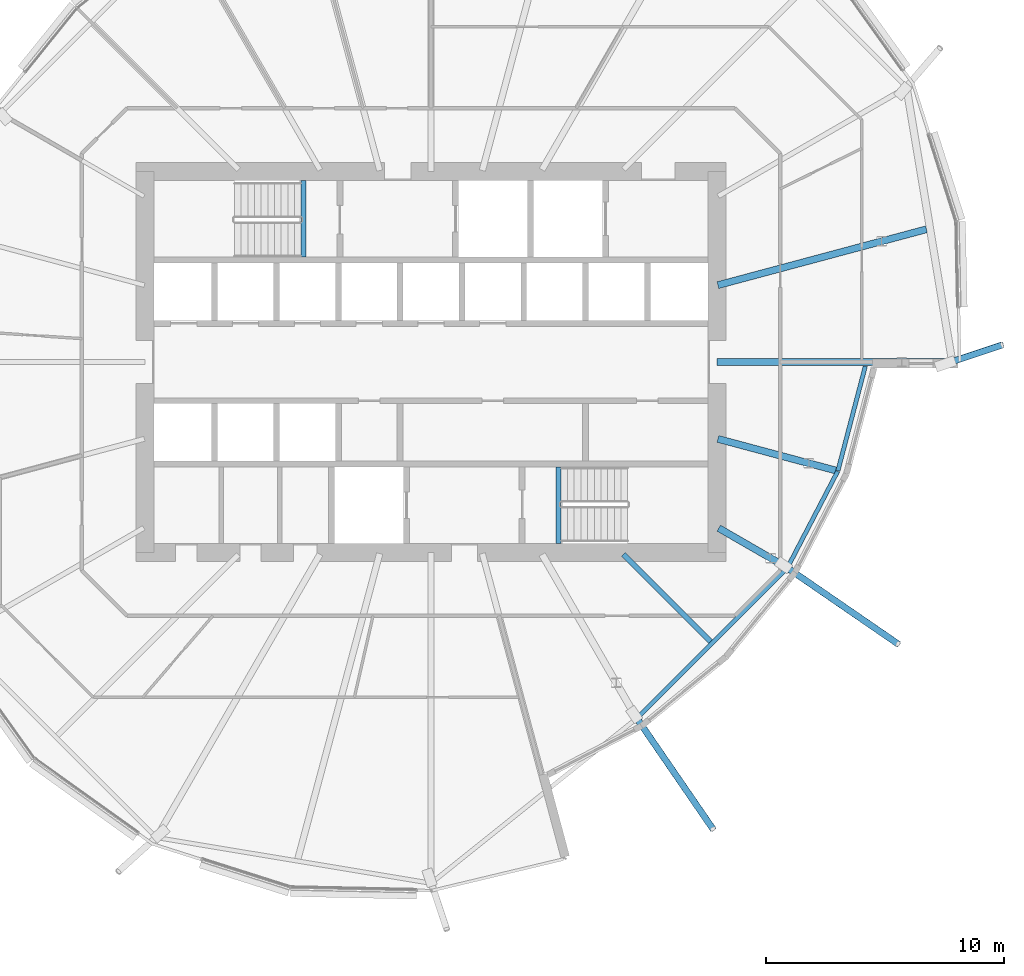
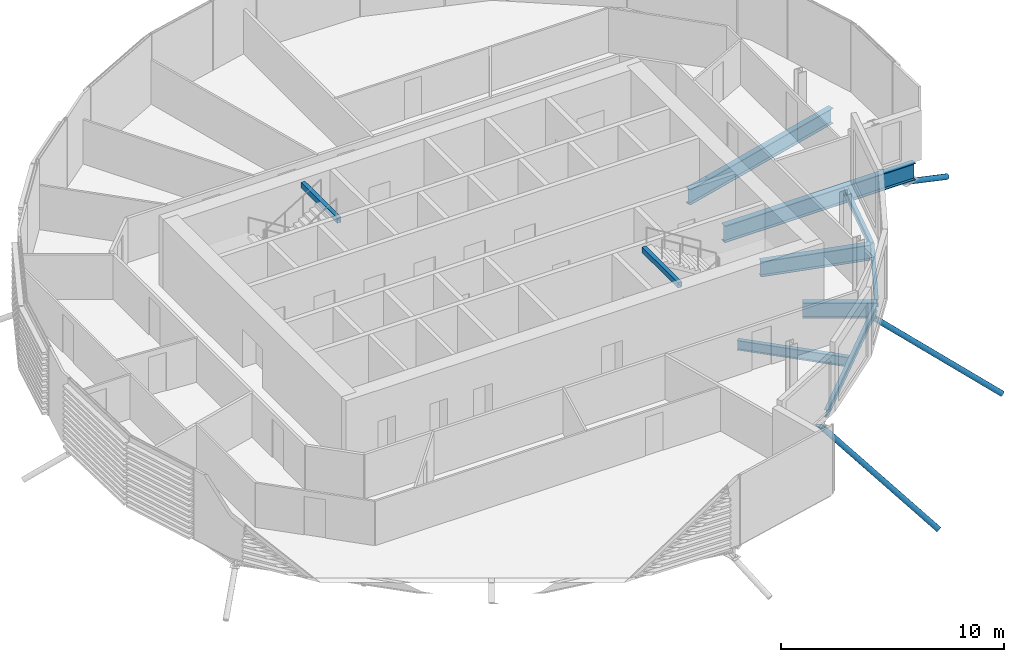
# One storey, part 14 of 39: 10 beams, 3 members.
"""IFC4 building model written with IfcOpenShell, lengths in metres."""

from ifc_helpers import new_model, si_unit, direction, frame, origin, origin_2d, place, context, subcontext, project, spatial, hollow_rectangle, hollow_circle, i_section, extrude, clip, halfspace, material, material_profile, profile_set, type_object, element, save


model = new_model("IFC4")

# Units and contexts
model_context = context("Model", 3, precision=1e-05, world=origin(), true_north=direction((0.0, 1.0)))
body_context = subcontext(model_context, "Body", "Model", "MODEL_VIEW")
ifc_project = project(units=[si_unit("LENGTHUNIT", "METRE"), si_unit("AREAUNIT", "SQUARE_METRE"), si_unit("VOLUMEUNIT", "CUBIC_METRE"), si_unit("PLANEANGLEUNIT", "RADIAN"), si_unit("MASSUNIT", "GRAM", prefix="KILO")], contexts=[model_context])

# Site, building, storey
site_placement = place(None, origin())
site = spatial("IfcSite", under=ifc_project, at=site_placement, CompositionType="ELEMENT")
building_placement = place(site_placement, origin())
building = spatial("IfcBuilding", under=site, at=building_placement, Name="Rimbun Link Towers", CompositionType="ELEMENT")
storey_placement = place(building_placement, frame((0.0, 0.0, 96.800048828125)))
storey = spatial("IfcBuildingStorey", under=building, at=storey_placement, Name="L23", CompositionType="ELEMENT", Elevation=96.800048828125)

# Members
ifc_material_1 = material(Name="Steel S355J2H", Category="steel")
ifc_material_profile_1 = material_profile(ifc_material_1, hollow_circle(Radius=0.136474609375, WallThickness=0.012451171875, at=origin_2d()), Name="CHS 273x12.5")
ifc_profile_set_1 = profile_set([ifc_material_profile_1], Name="Steel S355J2H")
member_type = type_object("IfcMemberType", Name="Floor edge link CHS 273x12.5", PredefinedType="BRACE", material=ifc_profile_set_1)
for number, where, z_axis, x_axis, name in (
    (1, (40.35888671875, -14.910888671875, -1.115478515625), (0.471768093218, -0.686149736002, -0.553744892532), (0.824019413712, 0.566561564021, 0.0), "Floor edge link T2 L23 17"),
    (2, (46.660888671875, -8.60888671875, -1.115478515625), (0.686149736002, -0.471768093218, -0.553744892532), (0.566561564021, 0.824019413712, 0.0), "Floor edge link T2 L23 19"),
):
    element("IfcMember", number, at=place(storey_placement, frame(where, z_axis=z_axis, x_axis=x_axis)), inside=storey, type_object=member_type, Name=name, PredefinedType="BRACE", context=body_context, shape_type="Clipping", body=[
        clip(extrude(hollow_circle(Radius=0.136474609375, WallThickness=0.012451171875, at=origin_2d()), frame((0.0, 0.0, -0.4287109375)), (0.0, 0.0, 1.0), 7.26953125), halfspace(frame((0.0, 0.0, -0.20361328125), z_axis=(0.0, 0.832686371928, -0.553744892532)), False)),
    ])
member_placement = place(storey_placement, frame((53.572021484375, 0.0, -1.203857421875), z_axis=(0.873946975551, 0.291216672564, -0.389113779691), x_axis=(-0.316131055349, 0.948715529463, 0.0)))
element("IfcMember", 3, at=member_placement, inside=storey, type_object=member_type, Name="Floor edge link T2 L23 21", PredefinedType="BRACE", context=body_context, shape_type="Clipping", body=[
    clip(extrude(hollow_circle(Radius=0.136474609375, WallThickness=0.012451171875, at=origin_2d()), frame((0.0, 0.0, -0.672119140625)), (0.0, 0.0, 1.0), 3.138427734375), halfspace(frame((0.0, 0.0, -0.317138671875), z_axis=(0.0, 0.921189701666, -0.389113779691)), False)),
])

# Beams
ifc_material_2 = material(Name="Steel S355J2", Category="steel")
ifc_material_profile_2 = material_profile(ifc_material_2, hollow_rectangle(XDim=0.199951171875, YDim=0.300048828125, WallThickness=0.011962890625, at=origin_2d()), Name="BOX 300x200x12")
ifc_profile_set_2 = profile_set([ifc_material_profile_2], Name="Steel S355J2")
beam_type_1 = type_object("IfcBeamType", Name="Stair trimmer beam BOX 300x200x12", PredefinedType="BEAM", material=ifc_profile_set_2)
for number, where, z_axis, x_axis, name in (
    (4, (26.39990234375, 7.625, 3.489990234375), (0.0, -1.0, 0.0), (1.0, 0.0, 0.0), "L23 ST3 stair beam 1"),
    (5, (37.10009765625, -7.625, 3.489990234375), (0.0, 1.0, 0.0), (-1.0, 0.0, 0.0), "L23 ST4 stair beam 1"),
):
    element("IfcBeam", number, at=place(storey_placement, frame(where, z_axis=z_axis, x_axis=x_axis)), inside=storey, type_object=beam_type_1, Name=name, PredefinedType="BEAM", context=body_context, shape_type="SweptSolid", body=[
        extrude(hollow_rectangle(XDim=0.199951171875, YDim=0.300048828125, WallThickness=0.011962890625, at=origin_2d()), origin(), (0.0, 0.0, 1.0), 3.22509765625),
    ])
ifc_material_3 = material(Name="Steel S355J2", Category="steel")
ifc_material_profile_3 = material_profile(ifc_material_3, i_section(OverallWidth=0.177978515625, OverallDepth=0.406494140625, WebThickness=0.0078125, FlangeThickness=0.0126953125, at=origin_2d()), Name="UB 406x178x60")
ifc_profile_set_3 = profile_set([ifc_material_profile_3], Name="Steel S355J2")
beam_type_2 = type_object("IfcBeamType", Name="UB 406x178x60", PredefinedType="BEAM", material=ifc_profile_set_3)
beam_1_placement = place(storey_placement, frame((40.49169921875, -14.846435546875, -0.36328125), z_axis=(0.707106781187, 0.707106781187, 0.0), x_axis=(-0.707106781187, 0.707106781187, 0.0)))
element("IfcBeam", 6, at=beam_1_placement, inside=storey, type_object=beam_type_2, Name="Edge beam T2 L23 17-19", PredefinedType="BEAM", context=body_context, shape_type="SweptSolid", body=[
    extrude(i_section(OverallWidth=0.177978515625, OverallDepth=0.406494140625, WebThickness=0.0078125, FlangeThickness=0.0126953125, at=origin_2d()), origin(), (0.0, 0.0, 1.0), 8.63330078125),
])
beam_2_placement = place(storey_placement, frame((46.774169921875, -8.499755859375, -0.36328125), z_axis=(0.462428085341, 0.886656791486, 0.0), x_axis=(-0.886656791486, 0.462428085341, 0.0)))
element("IfcBeam", 7, at=beam_2_placement, inside=storey, type_object=beam_type_2, Name="Edge beam T2 L23 19 recess", PredefinedType="BEAM", context=body_context, shape_type="SweptSolid", body=[
    extrude(i_section(OverallWidth=0.177978515625, OverallDepth=0.406494140625, WebThickness=0.0078125, FlangeThickness=0.0126953125, at=origin_2d()), origin(), (0.0, 0.0, 1.0), 4.416259765625),
])
beam_3_placement = place(storey_placement, frame((48.824462890625, -4.563720703125, -0.36328125), z_axis=(0.253526095329, 0.967328547592, 0.0), x_axis=(-0.967328547592, 0.253526095329, 0.0)))
element("IfcBeam", 8, at=beam_3_placement, inside=storey, type_object=beam_type_2, Name="Edge beam T2 L23 20 recess", PredefinedType="BEAM", context=body_context, shape_type="SweptSolid", body=[
    extrude(i_section(OverallWidth=0.177978515625, OverallDepth=0.406494140625, WebThickness=0.0078125, FlangeThickness=0.0126953125, at=origin_2d()), origin(), (0.0, 0.0, 1.0), 4.53564453125),
])
ifc_material_4 = material(Name="Steel S355J2", Category="steel")
ifc_material_profile_4 = material_profile(ifc_material_4, i_section(OverallWidth=0.209228515625, OverallDepth=0.533203125, WebThickness=0.010009765625, FlangeThickness=0.015625, at=origin_2d()), Name="UB 533x210x92")
ifc_profile_set_4 = profile_set([ifc_material_profile_4], Name="Steel S355J2")
beam_type_3 = type_object("IfcBeamType", Name="UB 533x210x92", PredefinedType="BEAM", material=ifc_profile_set_4)
beam_4_placement = place(storey_placement, frame((39.82470703125, -8.07470703125, -0.426513671875), z_axis=(0.707106781187, -0.707106781187, 0.0), x_axis=(0.707106781187, 0.707106781187, 0.0)))
element("IfcBeam", 9, at=beam_4_placement, inside=storey, type_object=beam_type_3, Name="Radial beam T2 L23 18", PredefinedType="BEAM", context=body_context, shape_type="SweptSolid", body=[
    extrude(i_section(OverallWidth=0.209228515625, OverallDepth=0.533203125, WebThickness=0.010009765625, FlangeThickness=0.015625, at=origin_2d()), origin(), (0.0, 0.0, 1.0), 5.169921875),
])
ifc_material_5 = material(Name="Steel S355J2", Category="steel")
ifc_material_profile_5 = material_profile(ifc_material_5, i_section(OverallWidth=0.29248046875, OverallDepth=0.8408203125, WebThickness=0.0126953125, FlangeThickness=0.021728515625, at=origin_2d()), Name="UB 838x292x194")
ifc_profile_set_5 = profile_set([ifc_material_profile_5], Name="Steel S355J2")
beam_type_4 = type_object("IfcBeamType", Name="UB 838x292x194", PredefinedType="BEAM", material=ifc_profile_set_5)
beam_5_placement = place(storey_placement, frame((43.823974609375, -6.970947265625, -0.580322265625), z_axis=(0.866025439566, -0.499999938025, 0.0), x_axis=(0.499999938025, 0.866025439566, 0.0)))
element("IfcBeam", 10, at=beam_5_placement, inside=storey, type_object=beam_type_4, Name="Radial beam T2 L23 19", PredefinedType="BEAM", context=body_context, shape_type="SweptSolid", body=[
    extrude(i_section(OverallWidth=0.29248046875, OverallDepth=0.8408203125, WebThickness=0.0126953125, FlangeThickness=0.021728515625, at=origin_2d()), origin(), (0.0, 0.0, 1.0), 3.32568359375),
])
beam_6_placement = place(storey_placement, frame((43.788818359375, -3.225830078125, -0.580322265625), z_axis=(0.965935920163, -0.258781371315, 0.0), x_axis=(0.258781371315, 0.965935920163, 0.0)))
element("IfcBeam", 11, at=beam_6_placement, inside=storey, type_object=beam_type_4, Name="Radial beam T2 L23 20", PredefinedType="BEAM", context=body_context, shape_type="SweptSolid", body=[
    extrude(i_section(OverallWidth=0.29248046875, OverallDepth=0.8408203125, WebThickness=0.0126953125, FlangeThickness=0.021728515625, at=origin_2d()), origin(), (0.0, 0.0, 1.0), 5.119873046875),
])
beam_7_placement = place(storey_placement, frame((43.788818359375, 3.225830078125, -0.580322265625), z_axis=(0.965927841238, 0.258811525095, 0.0), x_axis=(-0.258811525095, 0.965927841238, 0.0)))
element("IfcBeam", 12, at=beam_7_placement, inside=storey, type_object=beam_type_4, Name="Radial beam T2 L23 22", PredefinedType="BEAM", context=body_context, shape_type="SweptSolid", body=[
    extrude(i_section(OverallWidth=0.29248046875, OverallDepth=0.8408203125, WebThickness=0.0126953125, FlangeThickness=0.021728515625, at=origin_2d()), origin(), (0.0, 0.0, 1.0), 9.05859375),
])
ifc_material_6 = material(Name="Steel S355J2", Category="steel")
ifc_material_profile_6 = material_profile(ifc_material_6, i_section(OverallWidth=0.305419921875, OverallDepth=0.91845703125, WebThickness=0.017333984375, FlangeThickness=0.02783203125, at=origin_2d()), Name="UB 914x305x253")
ifc_profile_set_6 = profile_set([ifc_material_profile_6], Name="Steel S355J2")
beam_type_5 = type_object("IfcBeamType", Name="UB 914x305x253", PredefinedType="BEAM", material=ifc_profile_set_6)
beam_8_placement = place(storey_placement, frame((43.7509765625, 0.0, -0.619140625), z_axis=(1.0, 0.0, 0.0), x_axis=(0.0, 1.0, 0.0)))
element("IfcBeam", 13, at=beam_8_placement, inside=storey, type_object=beam_type_5, Name="Radial beam T2 L23 21", PredefinedType="BEAM", context=body_context, shape_type="SweptSolid", body=[
    extrude(i_section(OverallWidth=0.305419921875, OverallDepth=0.91845703125, WebThickness=0.017333984375, FlangeThickness=0.02783203125, at=origin_2d()), origin(), (0.0, 0.0, 1.0), 9.870849609375),
])

save(model, "model.ifc")
